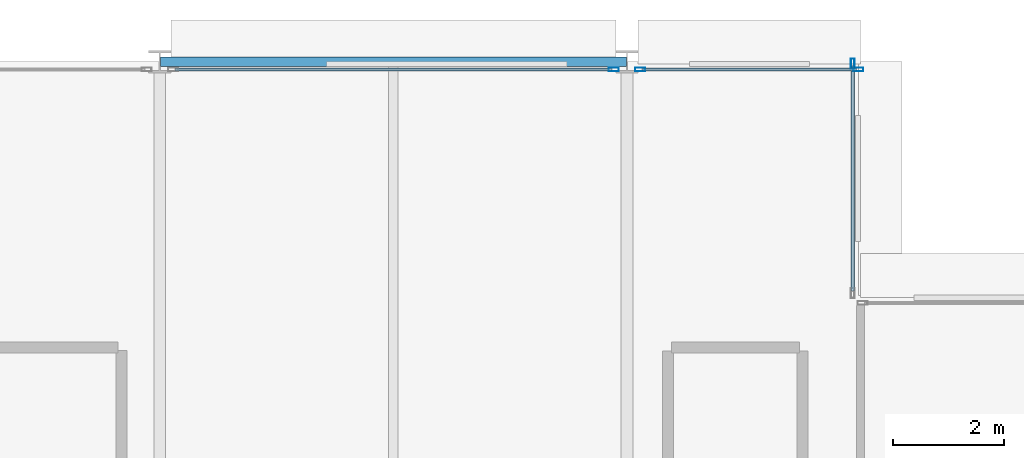
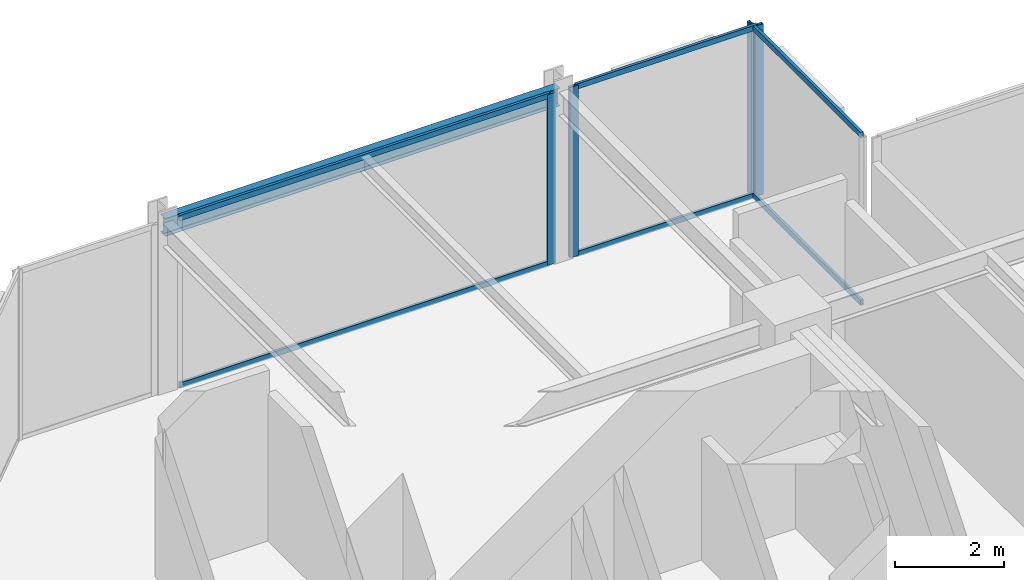
# One storey, part 22 of 30: 10 members, 1 beam, 3 elements without a shape of their own.
"""IFC4 building model written with IfcOpenShell, lengths in metres."""

from ifc_helpers import new_model, si_unit, direction, frame, origin, origin_2d, place, context, subcontext, project, spatial, hollow_rectangle, i_section, extrude, material, layer, layer_set, material_profile, profile_set, type_object, element, aggregate, save


model = new_model("IFC4")

# Units and contexts
model_context = context("Model", 3, precision=1e-05, world=origin(), true_north=direction((0.0, 1.0)))
body_context = subcontext(model_context, "Body", "Model", "MODEL_VIEW")
ifc_project = project(units=[si_unit("LENGTHUNIT", "METRE"), si_unit("AREAUNIT", "SQUARE_METRE"), si_unit("VOLUMEUNIT", "CUBIC_METRE"), si_unit("PLANEANGLEUNIT", "RADIAN"), si_unit("MASSUNIT", "GRAM", prefix="KILO")], contexts=[model_context])

# Site, building, storey
site_placement = place(None, origin())
site = spatial("IfcSite", under=ifc_project, at=site_placement, CompositionType="ELEMENT")
building_placement = place(site_placement, origin())
building = spatial("IfcBuilding", under=site, at=building_placement, Name="Nerrivon Quay Data Exchange", CompositionType="ELEMENT")
storey_placement = place(building_placement, frame((0.0, 0.0, 117.199951171875)))
storey = spatial("IfcBuildingStorey", under=building, at=storey_placement, Name="L27", CompositionType="ELEMENT", Elevation=117.199951171875)

# Beam
ifc_material_1 = material(Name="Steel Grade 350", Category="steel")
ifc_material_profile_1 = material_profile(ifc_material_1, i_section(OverallWidth=0.177978515625, OverallDepth=0.403076171875, WebThickness=0.007568359375, FlangeThickness=0.010986328125, FilletRadius=0.011474609375, at=origin_2d()), Name="410UB53.7")
ifc_profile_set_1 = profile_set([ifc_material_profile_1], Name="Steel Grade 350")
beam_type = type_object("IfcBeamType", Name="BM-SP2-410UB54", PredefinedType="SPANDREL", material=ifc_profile_set_1)
beam_placement = place(storey_placement, frame((8.41259765625, 50.39990234375, 3.62353515625), z_axis=(1.0, 0.0, 0.0), x_axis=(0.0, 1.0, 0.0)))
element("IfcBeam", 1, at=beam_placement, inside=storey, type_object=beam_type, Name="L27 EW Girder Y=50.4 (8.4..16.8)", PredefinedType="SPANDREL", context=body_context, shape_type="SweptSolid", body=[
    extrude(i_section(OverallWidth=0.177978515625, OverallDepth=0.403076171875, WebThickness=0.007568359375, FlangeThickness=0.010986328125, FilletRadius=0.011474609375, at=origin_2d()), origin(), (0.0, 0.0, 1.0), 8.375),
])

# Curtain wall, member
ifc_material_2 = material(Name="Anodised aluminium 6063-T6", Category="aluminium")
ifc_layer = layer(ifc_material_2, 0.2099609375)
ifc_layer_set = layer_set([ifc_layer], Name="Anodised aluminium 6063-T6")
curtain_wall_type = type_object("IfcCurtainWallType", Name="CW-SYS-02", PredefinedType="NOTDEFINED", material=ifc_layer_set)
curtain_wall_1_placement = place(storey_placement, origin())
curtain_wall_1 = element("IfcCurtainWall", 2, at=curtain_wall_1_placement, inside=storey, type_object=curtain_wall_type, Name="L27 Unitised Curtain Wall 19", PredefinedType="NOTDEFINED")
ifc_material_profile_2 = material_profile(ifc_material_2, hollow_rectangle(XDim=0.06494140625, YDim=0.179931640625, WallThickness=0.00341796875, at=origin_2d()), Name="ALU-MULL-180x65")
ifc_profile_set_2 = profile_set([ifc_material_profile_2], Name="Anodised aluminium 6063-T6")
member_type_1 = type_object("IfcMemberType", Name="CWM-180x65", PredefinedType="MULLION", material=ifc_profile_set_2)
member_1_placement = place(storey_placement, frame((16.5625, 50.260009765625, 0.0), z_axis=(0.0, 0.0, 1.0), x_axis=(0.0, 1.0, 0.0)))
member_1 = element("IfcMember", 3, at=member_1_placement, type_object=member_type_1, Name="CW02 mullion 2", PredefinedType="MULLION", context=body_context, shape_type="SweptSolid", body=[
    extrude(hollow_rectangle(XDim=0.06494140625, YDim=0.179931640625, WallThickness=0.00341796875, at=origin_2d()), origin(), (0.0, 0.0, 1.0), 3.824951171875),
])

# Curtain wall, members
curtain_wall_2_placement = place(storey_placement, origin())
curtain_wall_2 = element("IfcCurtainWall", 4, at=curtain_wall_2_placement, inside=storey, type_object=curtain_wall_type, Name="L27 Unitised Curtain Wall 20", PredefinedType="NOTDEFINED")
member_2_placement = place(storey_placement, frame((17.03759765625, 50.260009765625, 0.0), z_axis=(0.0, 0.0, 1.0), x_axis=(0.0, 1.0, 0.0)))
member_2 = element("IfcMember", 5, at=member_2_placement, type_object=member_type_1, Name="CW02 mullion 1", PredefinedType="MULLION", context=body_context, shape_type="SweptSolid", body=[
    extrude(hollow_rectangle(XDim=0.06494140625, YDim=0.179931640625, WallThickness=0.00341796875, at=origin_2d()), origin(), (0.0, 0.0, 1.0), 3.824951171875),
])
member_3_placement = place(storey_placement, frame((20.96240234375, 50.260009765625, 0.0), z_axis=(0.0, 0.0, 1.0), x_axis=(0.0, 1.0, 0.0)))
member_3 = element("IfcMember", 6, at=member_3_placement, type_object=member_type_1, Name="CW02 mullion 2", PredefinedType="MULLION", context=body_context, shape_type="SweptSolid", body=[
    extrude(hollow_rectangle(XDim=0.06494140625, YDim=0.179931640625, WallThickness=0.00341796875, at=origin_2d()), origin(), (0.0, 0.0, 1.0), 3.824951171875),
])

# Curtain wall, member
curtain_wall_3_placement = place(storey_placement, origin())
curtain_wall_3 = element("IfcCurtainWall", 7, at=curtain_wall_3_placement, inside=storey, type_object=curtain_wall_type, Name="L27 Unitised Curtain Wall 21", PredefinedType="NOTDEFINED")
member_4_placement = place(storey_placement, frame((20.860107421875, 50.362548828125, 0.0), z_axis=(0.0, 0.0, 1.0), x_axis=(1.0, 0.0, 0.0)))
member_4 = element("IfcMember", 8, at=member_4_placement, type_object=member_type_1, Name="CW02 mullion 1", PredefinedType="MULLION", context=body_context, shape_type="SweptSolid", body=[
    extrude(hollow_rectangle(XDim=0.06494140625, YDim=0.179931640625, WallThickness=0.00341796875, at=origin_2d()), origin(), (0.0, 0.0, 1.0), 3.824951171875),
])

# Member
ifc_material_profile_3 = material_profile(ifc_material_2, hollow_rectangle(XDim=0.06005859375, YDim=0.1201171875, WallThickness=0.003173828125, at=origin_2d()), Name="ALU-TRAN-120x60")
ifc_profile_set_3 = profile_set([ifc_material_profile_3], Name="Anodised aluminium 6063-T6")
member_type_2 = type_object("IfcMemberType", Name="CWT-120x60", PredefinedType="USERDEFINED", material=ifc_profile_set_3)
member_5_placement = place(storey_placement, frame((8.675048828125, 50.260009765625, 0.032470703125), z_axis=(1.0, 0.0, 0.0), x_axis=(0.0, 1.0, 0.0)))
member_5 = element("IfcMember", 9, at=member_5_placement, type_object=member_type_2, Name="CW02 transom 1.1", ObjectType="TRANSOM", PredefinedType="USERDEFINED", context=body_context, shape_type="SweptSolid", body=[
    extrude(hollow_rectangle(XDim=0.06005859375, YDim=0.1201171875, WallThickness=0.003173828125, at=origin_2d()), origin(), (0.0, 0.0, 1.0), 7.849853515625),
])

member_6_placement = place(storey_placement, frame((8.675048828125, 50.260009765625, 3.79248046875), z_axis=(1.0, 0.0, 0.0), x_axis=(0.0, 1.0, 0.0)))
member_6 = element("IfcMember", 10, at=member_6_placement, type_object=member_type_2, Name="CW02 transom 1.2", ObjectType="TRANSOM", PredefinedType="USERDEFINED", context=body_context, shape_type="SweptSolid", body=[
    extrude(hollow_rectangle(XDim=0.06005859375, YDim=0.1201171875, WallThickness=0.003173828125, at=origin_2d()), origin(), (0.0, 0.0, 1.0), 7.849853515625),
])

aggregate(curtain_wall_1, [member_1, member_5, member_6])

member_7_placement = place(storey_placement, frame((17.074951171875, 50.260009765625, 0.032470703125), z_axis=(1.0, 0.0, 0.0), x_axis=(0.0, 1.0, 0.0)))
member_7 = element("IfcMember", 11, at=member_7_placement, type_object=member_type_2, Name="CW02 transom 1.1", ObjectType="TRANSOM", PredefinedType="USERDEFINED", context=body_context, shape_type="SweptSolid", body=[
    extrude(hollow_rectangle(XDim=0.06005859375, YDim=0.1201171875, WallThickness=0.003173828125, at=origin_2d()), origin(), (0.0, 0.0, 1.0), 3.85009765625),
])

member_8_placement = place(storey_placement, frame((17.074951171875, 50.260009765625, 3.79248046875), z_axis=(1.0, 0.0, 0.0), x_axis=(0.0, 1.0, 0.0)))
member_8 = element("IfcMember", 12, at=member_8_placement, type_object=member_type_2, Name="CW02 transom 1.2", ObjectType="TRANSOM", PredefinedType="USERDEFINED", context=body_context, shape_type="SweptSolid", body=[
    extrude(hollow_rectangle(XDim=0.06005859375, YDim=0.1201171875, WallThickness=0.003173828125, at=origin_2d()), origin(), (0.0, 0.0, 1.0), 3.85009765625),
])

aggregate(curtain_wall_2, [member_2, member_3, member_7, member_8])

member_9_placement = place(storey_placement, frame((20.860107421875, 50.324951171875, 0.032470703125), z_axis=(0.0, -1.0, 0.0), x_axis=(1.0, 0.0, 0.0)))
member_9 = element("IfcMember", 13, at=member_9_placement, type_object=member_type_2, Name="CW02 transom 1.1", ObjectType="TRANSOM", PredefinedType="USERDEFINED", context=body_context, shape_type="SweptSolid", body=[
    extrude(hollow_rectangle(XDim=0.06005859375, YDim=0.1201171875, WallThickness=0.003173828125, at=origin_2d()), origin(), (0.0, 0.0, 1.0), 4.050048828125),
])

member_10_placement = place(storey_placement, frame((20.860107421875, 50.324951171875, 3.79248046875), z_axis=(0.0, -1.0, 0.0), x_axis=(1.0, 0.0, 0.0)))
member_10 = element("IfcMember", 14, at=member_10_placement, type_object=member_type_2, Name="CW02 transom 1.2", ObjectType="TRANSOM", PredefinedType="USERDEFINED", context=body_context, shape_type="SweptSolid", body=[
    extrude(hollow_rectangle(XDim=0.06005859375, YDim=0.1201171875, WallThickness=0.003173828125, at=origin_2d()), origin(), (0.0, 0.0, 1.0), 4.050048828125),
])

aggregate(curtain_wall_3, [member_4, member_9, member_10])

save(model, "model.ifc")
